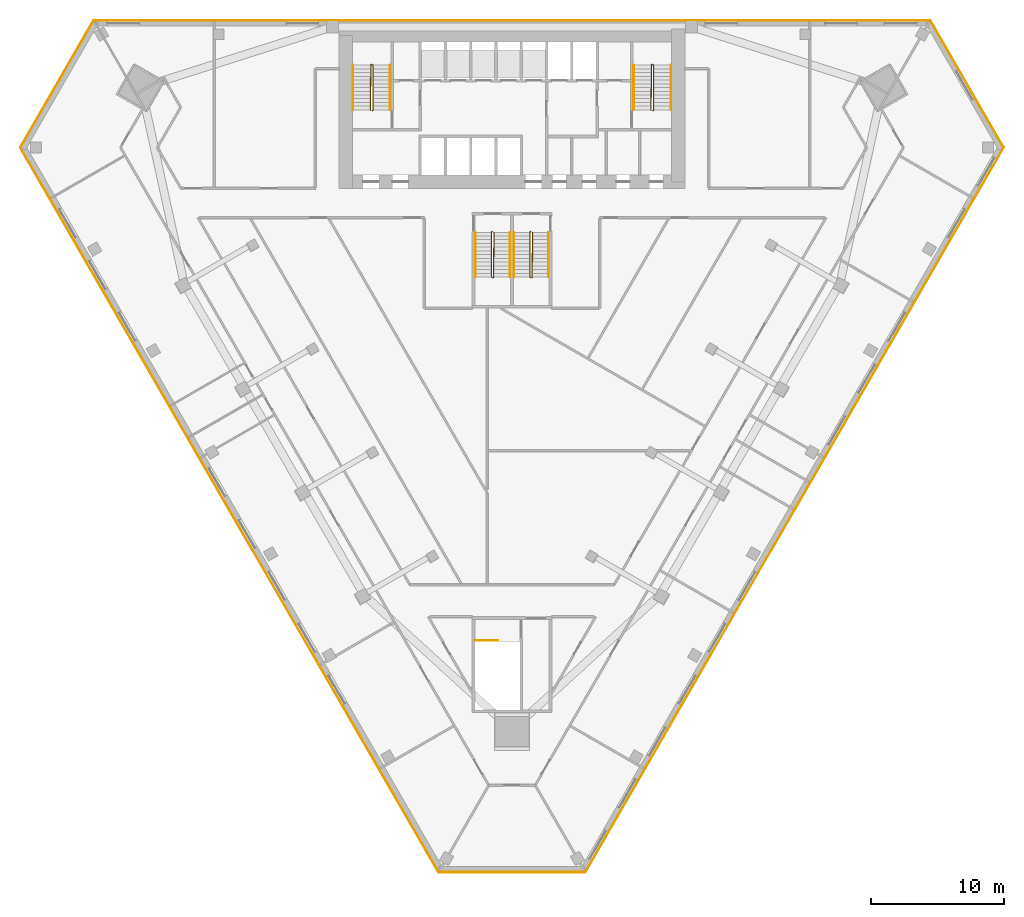
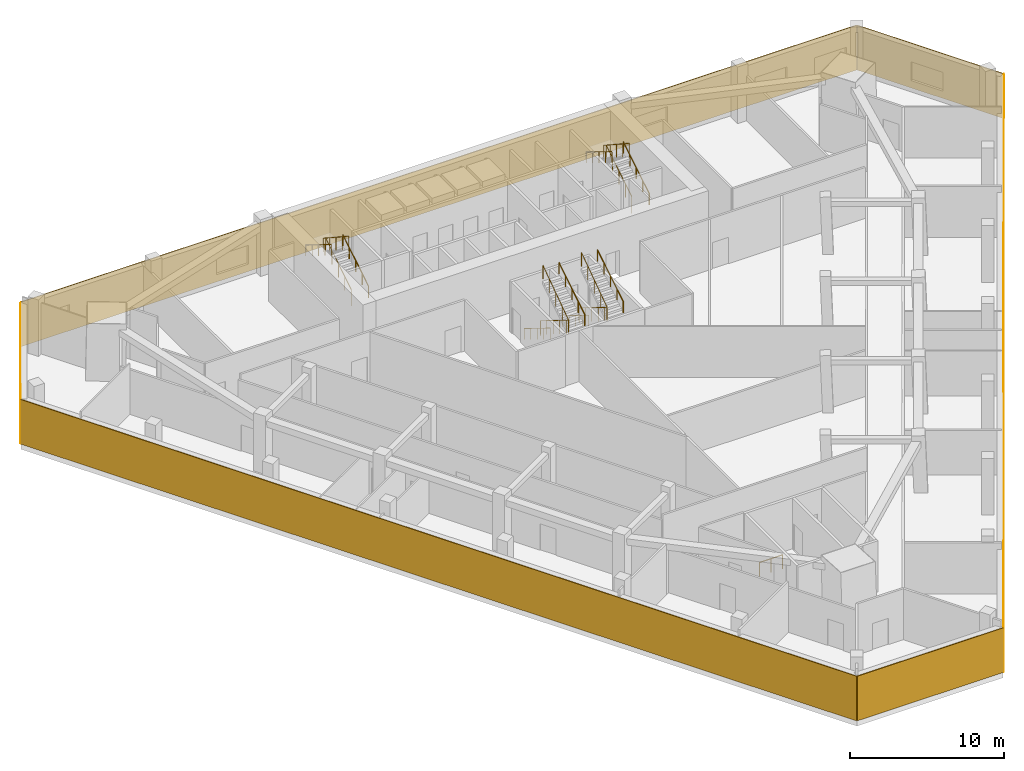
# One storey, part 8 of 9: 13 railings, 6 coverings.
"""IFC4 building model written with IfcOpenShell, lengths in metres."""

from ifc_helpers import new_model, si_unit, direction, frame, frame_2d, origin, origin_2d, place, context, subcontext, project, spatial, rectangle, circle, extrude, material, layer, layer_set, type_object, element, save


model = new_model("IFC4")

# Units and contexts
model_context = context("Model", 3, precision=1e-05, world=origin(), true_north=direction((0.0, 1.0)))
body_context = subcontext(model_context, "Body", "Model", "MODEL_VIEW")
ifc_project = project(units=[si_unit("LENGTHUNIT", "METRE"), si_unit("AREAUNIT", "SQUARE_METRE"), si_unit("VOLUMEUNIT", "CUBIC_METRE"), si_unit("PLANEANGLEUNIT", "RADIAN"), si_unit("MASSUNIT", "GRAM", prefix="KILO")], contexts=[model_context])

# Site, building, storey
site_placement = place(None, origin())
site = spatial("IfcSite", under=ifc_project, at=site_placement, CompositionType="ELEMENT")
building_placement = place(site_placement, origin())
building = spatial("IfcBuilding", under=site, at=building_placement, Name="Altiplano Prism Tower", CompositionType="ELEMENT")
storey_placement = place(building_placement, frame((0.0, 0.0, 18.0)))
storey = spatial("IfcBuildingStorey", under=building, at=storey_placement, Name="L03", CompositionType="ELEMENT", Elevation=18.0)

# Railings
ifc_material_1 = material(Name="Steel S355", Category="steel")
railing_type_1 = type_object("IfcRailingType", Name="Stair guard 1100", PredefinedType="GUARDRAIL", material=ifc_material_1)
railing_1_placement = place(storey_placement, frame((74.5, 98.25, 0.0)))
element("IfcRailing", 1, at=railing_1_placement, inside=storey, type_object=railing_type_1, Name="L03 ST1 stair guard 1", PredefinedType="GUARDRAIL", context=body_context, shape_type="SweptSolid", body=[
    extrude(circle(Radius=0.02392578125, at=origin_2d()), frame((0.0, 0.0, 1.076171875), z_axis=(0.267629722418, 0.267629722418, 0.925607186314), x_axis=(-0.707106781187, 0.707106781187, 0.0)), (0.0, 0.0, 1.0), 0.18701171875),
    extrude(circle(Radius=0.02392578125, at=origin_2d()), frame((0.050048828125, 0.050048828125, 1.2490234375), z_axis=(0.0, 0.850606129759, 0.525803396734), x_axis=(-1.0, 0.0, 0.0)), (0.0, 0.0, 1.0), 3.949951171875),
    extrude(circle(Radius=0.02392578125, at=origin_2d()), frame((0.050048828125, 3.409912109375, 3.326171875), z_axis=(-0.948683298051, 0.316227766017, 0.0), x_axis=(-0.316227766017, -0.948683298051, 0.0)), (0.0, 0.0, 1.0), 0.158203125),
    extrude(circle(Radius=0.02392578125, at=origin_2d()), frame((-0.10009765625, 3.4599609375, 3.326171875), z_axis=(-0.0121901703, -0.834608375372, 0.55070887001), x_axis=(0.999893351539, -0.01460429897, 0.0)), (0.0, 0.0, 1.0), 4.085693359375),
    extrude(circle(Radius=0.02099609375, at=origin_2d()), origin(), (0.0, 0.0, 1.0), 1.052001953125),
    extrude(circle(Radius=0.02099609375, at=origin_2d()), frame((0.050048828125, 0.050048828125, 0.173095703125)), (0.0, 0.0, 1.0), 1.052001953125),
    extrude(circle(Radius=0.02099609375, at=origin_2d()), frame((0.050048828125, 0.89013671875, 0.6923828125)), (0.0, 0.0, 1.0), 1.052001953125),
    extrude(circle(Radius=0.02099609375, at=origin_2d()), frame((0.050048828125, 1.72998046875, 1.21142578125)), (0.0, 0.0, 1.0), 1.052001953125),
    extrude(circle(Radius=0.02099609375, at=origin_2d()), frame((0.050048828125, 2.56982421875, 1.730712890625)), (0.0, 0.0, 1.0), 1.052001953125),
    extrude(circle(Radius=0.02099609375, at=origin_2d()), frame((0.050048828125, 3.409912109375, 2.25)), (0.0, 0.0, 1.0), 1.052001953125),
    extrude(circle(Radius=0.02099609375, at=origin_2d()), frame((-0.10009765625, 3.4599609375, 2.25)), (0.0, 0.0, 1.0), 1.052001953125),
    extrude(circle(Radius=0.02099609375, at=origin_2d()), frame((-0.112548828125, 2.607421875, 2.8125)), (0.0, 0.0, 1.0), 1.052001953125),
    extrude(circle(Radius=0.02099609375, at=origin_2d()), frame((-0.125, 1.7548828125, 3.375)), (0.0, 0.0, 1.0), 1.052001953125),
    extrude(circle(Radius=0.02099609375, at=origin_2d()), frame((-0.137451171875, 0.902587890625, 3.9375)), (0.0, 0.0, 1.0), 1.052001953125),
    extrude(circle(Radius=0.02099609375, at=origin_2d()), frame((-0.14990234375, 0.050048828125, 4.5)), (0.0, 0.0, 1.0), 1.052001953125),
])
railing_2_placement = place(storey_placement, frame((95.60009765625, 98.25, 0.0)))
element("IfcRailing", 2, at=railing_2_placement, inside=storey, type_object=railing_type_1, Name="L03 ST2 stair guard 1", PredefinedType="GUARDRAIL", context=body_context, shape_type="SweptSolid", body=[
    extrude(circle(Radius=0.02392578125, at=origin_2d()), frame((0.0, 0.0, 1.076171875), z_axis=(0.266417085129, 0.267723051232, 0.925929967433), x_axis=(-0.708833529934, 0.705375805398, 0.0)), (0.0, 0.0, 1.0), 0.18701171875),
    extrude(circle(Radius=0.02392578125, at=origin_2d()), frame((0.0498046875, 0.050048828125, 1.2490234375), z_axis=(0.0, 0.850606129759, 0.525803396734), x_axis=(-1.0, 0.0, 0.0)), (0.0, 0.0, 1.0), 3.949951171875),
    extrude(circle(Radius=0.02392578125, at=origin_2d()), frame((0.0498046875, 3.409912109375, 3.326171875), z_axis=(-0.948528701346, 0.316691178788, 0.0), x_axis=(-0.316691178788, -0.948528701346, 0.0)), (0.0, 0.0, 1.0), 0.157958984375),
    extrude(circle(Radius=0.02392578125, at=origin_2d()), frame((-0.10009765625, 3.4599609375, 3.326171875), z_axis=(-0.012249917091, -0.834607765926, 0.550708467873), x_axis=(0.999892303572, -0.014675873289, 0.0)), (0.0, 0.0, 1.0), 4.085693359375),
    extrude(circle(Radius=0.02099609375, at=origin_2d()), origin(), (0.0, 0.0, 1.0), 1.052001953125),
    extrude(circle(Radius=0.02099609375, at=origin_2d()), frame((0.0498046875, 0.050048828125, 0.173095703125)), (0.0, 0.0, 1.0), 1.052001953125),
    extrude(circle(Radius=0.02099609375, at=origin_2d()), frame((0.0498046875, 0.89013671875, 0.6923828125)), (0.0, 0.0, 1.0), 1.052001953125),
    extrude(circle(Radius=0.02099609375, at=origin_2d()), frame((0.0498046875, 1.72998046875, 1.21142578125)), (0.0, 0.0, 1.0), 1.052001953125),
    extrude(circle(Radius=0.02099609375, at=origin_2d()), frame((0.0498046875, 2.56982421875, 1.730712890625)), (0.0, 0.0, 1.0), 1.052001953125),
    extrude(circle(Radius=0.02099609375, at=origin_2d()), frame((0.0498046875, 3.409912109375, 2.25)), (0.0, 0.0, 1.0), 1.052001953125),
    extrude(circle(Radius=0.02099609375, at=origin_2d()), frame((-0.10009765625, 3.4599609375, 2.25)), (0.0, 0.0, 1.0), 1.052001953125),
    extrude(circle(Radius=0.02099609375, at=origin_2d()), frame((-0.112548828125, 2.607421875, 2.8125)), (0.0, 0.0, 1.0), 1.052001953125),
    extrude(circle(Radius=0.02099609375, at=origin_2d()), frame((-0.125, 1.7548828125, 3.375)), (0.0, 0.0, 1.0), 1.052001953125),
    extrude(circle(Radius=0.02099609375, at=origin_2d()), frame((-0.1376953125, 0.902587890625, 3.9375)), (0.0, 0.0, 1.0), 1.052001953125),
    extrude(circle(Radius=0.02099609375, at=origin_2d()), frame((-0.150146484375, 0.050048828125, 4.5)), (0.0, 0.0, 1.0), 1.052001953125),
])
railing_3_placement = place(storey_placement, frame((83.5, 89.14990234375, 0.0)))
element("IfcRailing", 3, at=railing_3_placement, inside=storey, type_object=railing_type_1, Name="L03 ST3A stair guard 1", PredefinedType="GUARDRAIL", context=body_context, shape_type="SweptSolid", body=[
    extrude(circle(Radius=0.02392578125, at=origin_2d()), frame((0.0, 0.0, 1.076171875), z_axis=(-0.267723051232, -0.266417085129, 0.925929967433), x_axis=(0.705375805398, -0.708833529934, 0.0)), (0.0, 0.0, 1.0), 0.18701171875),
    extrude(circle(Radius=0.02392578125, at=origin_2d()), frame((-0.050048828125, -0.0498046875, 1.2490234375), z_axis=(0.0, -0.850623216509, 0.525775754039), x_axis=(1.0, 0.0, 0.0)), (0.0, 0.0, 1.0), 3.9501953125),
    extrude(circle(Radius=0.02392578125, at=origin_2d()), frame((-0.050048828125, -3.409912109375, 3.326171875), z_axis=(0.948683298051, -0.316227766017, 0.0), x_axis=(0.316227766017, 0.948683298051, 0.0)), (0.0, 0.0, 1.0), 0.158203125),
    extrude(circle(Radius=0.02392578125, at=origin_2d()), frame((0.10009765625, -3.4599609375, 3.326171875), z_axis=(0.012189562367, 0.83462650563, 0.550681405777), x_axis=(-0.999893366806, 0.014603253639, 0.0)), (0.0, 0.0, 1.0), 4.0859375),
    extrude(circle(Radius=0.02099609375, at=origin_2d()), origin(), (0.0, 0.0, 1.0), 1.052001953125),
    extrude(circle(Radius=0.02099609375, at=origin_2d()), frame((-0.050048828125, -0.0498046875, 0.173095703125)), (0.0, 0.0, 1.0), 1.052001953125),
    extrude(circle(Radius=0.02099609375, at=origin_2d()), frame((-0.050048828125, -0.889892578125, 0.6923828125)), (0.0, 0.0, 1.0), 1.052001953125),
    extrude(circle(Radius=0.02099609375, at=origin_2d()), frame((-0.050048828125, -1.72998046875, 1.21142578125)), (0.0, 0.0, 1.0), 1.052001953125),
    extrude(circle(Radius=0.02099609375, at=origin_2d()), frame((-0.050048828125, -2.56982421875, 1.730712890625)), (0.0, 0.0, 1.0), 1.052001953125),
    extrude(circle(Radius=0.02099609375, at=origin_2d()), frame((-0.050048828125, -3.409912109375, 2.25)), (0.0, 0.0, 1.0), 1.052001953125),
    extrude(circle(Radius=0.02099609375, at=origin_2d()), frame((0.10009765625, -3.4599609375, 2.25)), (0.0, 0.0, 1.0), 1.052001953125),
    extrude(circle(Radius=0.02099609375, at=origin_2d()), frame((0.112548828125, -2.607421875, 2.8125)), (0.0, 0.0, 1.0), 1.052001953125),
    extrude(circle(Radius=0.02099609375, at=origin_2d()), frame((0.125, -1.7548828125, 3.375)), (0.0, 0.0, 1.0), 1.052001953125),
    extrude(circle(Radius=0.02099609375, at=origin_2d()), frame((0.137451171875, -0.90234375, 3.9375)), (0.0, 0.0, 1.0), 1.052001953125),
    extrude(circle(Radius=0.02099609375, at=origin_2d()), frame((0.14990234375, -0.0498046875, 4.5)), (0.0, 0.0, 1.0), 1.052001953125),
])
railing_4_placement = place(storey_placement, frame((86.39990234375, 89.14990234375, 0.0)))
element("IfcRailing", 4, at=railing_4_placement, inside=storey, type_object=railing_type_1, Name="L03 ST3B stair guard 1", PredefinedType="GUARDRAIL", context=body_context, shape_type="SweptSolid", body=[
    extrude(circle(Radius=0.02392578125, at=origin_2d()), frame((0.0, 0.0, 1.076171875), z_axis=(-0.26651005591, -0.26651005591, 0.926253086471), x_axis=(0.707106781187, -0.707106781187, 0.0)), (0.0, 0.0, 1.0), 0.186767578125),
    extrude(circle(Radius=0.02392578125, at=origin_2d()), frame((-0.0498046875, -0.0498046875, 1.2490234375), z_axis=(0.0, -0.850623216509, 0.525775754039), x_axis=(1.0, 0.0, 0.0)), (0.0, 0.0, 1.0), 3.9501953125),
    extrude(circle(Radius=0.02392578125, at=origin_2d()), frame((-0.0498046875, -3.409912109375, 3.326171875), z_axis=(0.948528701346, -0.316691178788, 0.0), x_axis=(0.316691178788, 0.948528701346, 0.0)), (0.0, 0.0, 1.0), 0.157958984375),
    extrude(circle(Radius=0.02392578125, at=origin_2d()), frame((0.10009765625, -3.4599609375, 3.326171875), z_axis=(0.01224930618, 0.834625896233, 0.5506810037), x_axis=(-0.99989231899, 0.014674822837, 0.0)), (0.0, 0.0, 1.0), 4.0859375),
    extrude(circle(Radius=0.02099609375, at=origin_2d()), origin(), (0.0, 0.0, 1.0), 1.052001953125),
    extrude(circle(Radius=0.02099609375, at=origin_2d()), frame((-0.0498046875, -0.0498046875, 0.173095703125)), (0.0, 0.0, 1.0), 1.052001953125),
    extrude(circle(Radius=0.02099609375, at=origin_2d()), frame((-0.0498046875, -0.889892578125, 0.6923828125)), (0.0, 0.0, 1.0), 1.052001953125),
    extrude(circle(Radius=0.02099609375, at=origin_2d()), frame((-0.0498046875, -1.72998046875, 1.21142578125)), (0.0, 0.0, 1.0), 1.052001953125),
    extrude(circle(Radius=0.02099609375, at=origin_2d()), frame((-0.0498046875, -2.56982421875, 1.730712890625)), (0.0, 0.0, 1.0), 1.052001953125),
    extrude(circle(Radius=0.02099609375, at=origin_2d()), frame((-0.0498046875, -3.409912109375, 2.25)), (0.0, 0.0, 1.0), 1.052001953125),
    extrude(circle(Radius=0.02099609375, at=origin_2d()), frame((0.10009765625, -3.4599609375, 2.25)), (0.0, 0.0, 1.0), 1.052001953125),
    extrude(circle(Radius=0.02099609375, at=origin_2d()), frame((0.112548828125, -2.607421875, 2.8125)), (0.0, 0.0, 1.0), 1.052001953125),
    extrude(circle(Radius=0.02099609375, at=origin_2d()), frame((0.125, -1.7548828125, 3.375)), (0.0, 0.0, 1.0), 1.052001953125),
    extrude(circle(Radius=0.02099609375, at=origin_2d()), frame((0.1376953125, -0.90234375, 3.9375)), (0.0, 0.0, 1.0), 1.052001953125),
    extrude(circle(Radius=0.02099609375, at=origin_2d()), frame((0.150146484375, -0.0498046875, 4.5)), (0.0, 0.0, 1.0), 1.052001953125),
])
railing_5_placement = place(storey_placement, frame((82.199951171875, 58.39990234375, 0.0)))
element("IfcRailing", 5, at=railing_5_placement, inside=storey, type_object=railing_type_1, Name="L03 ST4 top well guard 1", PredefinedType="GUARDRAIL", context=body_context, shape_type="SweptSolid", body=[
    extrude(circle(Radius=0.02392578125, at=origin_2d()), frame((0.0, 0.0, 1.076171875), z_axis=(1.0, 0.0, 0.0), x_axis=(0.0, 1.0, 0.0)), (0.0, 0.0, 1.0), 1.75),
    extrude(circle(Radius=0.02099609375, at=origin_2d()), origin(), (0.0, 0.0, 1.0), 1.052001953125),
    extrude(circle(Radius=0.02099609375, at=origin_2d()), frame((0.875, 0.0, 0.0)), (0.0, 0.0, 1.0), 1.052001953125),
    extrude(circle(Radius=0.02099609375, at=origin_2d()), frame((1.75, 0.0, 0.0)), (0.0, 0.0, 1.0), 1.052001953125),
])
railing_type_2 = type_object("IfcRailingType", Name="Stair handrail 900", PredefinedType="HANDRAIL", material=ifc_material_1)
railing_6_placement = place(storey_placement, frame((75.85009765625, 98.300048828125, 0.173095703125)))
element("IfcRailing", 6, at=railing_6_placement, inside=storey, type_object=railing_type_2, Name="L03 ST1 stair handrail 1", PredefinedType="HANDRAIL", context=body_context, shape_type="SweptSolid", body=[
    extrude(circle(Radius=0.02392578125, at=origin_2d()), frame((0.0, 0.0, 0.8759765625), z_axis=(0.0, 0.850606129759, 0.525803396734), x_axis=(-1.0, 0.0, 0.0)), (0.0, 0.0, 1.0), 3.949951171875),
    extrude(circle(Radius=0.02099609375, at=origin_2d()), origin(), (0.0, 0.0, 1.0), 0.851806640625),
    extrude(circle(Radius=0.02099609375, at=origin_2d()), frame((0.0, 0.83984375, 0.519287109375)), (0.0, 0.0, 1.0), 0.851806640625),
    extrude(circle(Radius=0.02099609375, at=origin_2d()), frame((0.0, 1.679931640625, 1.03857421875)), (0.0, 0.0, 1.0), 0.851806640625),
    extrude(circle(Radius=0.02099609375, at=origin_2d()), frame((0.0, 2.52001953125, 1.5576171875)), (0.0, 0.0, 1.0), 0.851806640625),
    extrude(circle(Radius=0.02099609375, at=origin_2d()), frame((0.0, 3.35986328125, 2.076904296875)), (0.0, 0.0, 1.0), 0.851806640625),
])
railing_7_placement = place(storey_placement, frame((73.050048828125, 101.659912109375, 2.423095703125)))
element("IfcRailing", 7, at=railing_7_placement, inside=storey, type_object=railing_type_2, Name="L03 ST1 stair handrail 2", PredefinedType="HANDRAIL", context=body_context, shape_type="SweptSolid", body=[
    extrude(circle(Radius=0.02392578125, at=origin_2d()), frame((0.0, 0.0, 0.8759765625), z_axis=(0.0, -0.850606129759, 0.525803396734), x_axis=(1.0, 0.0, 0.0)), (0.0, 0.0, 1.0), 3.949951171875),
    extrude(circle(Radius=0.02099609375, at=origin_2d()), origin(), (0.0, 0.0, 1.0), 0.851806640625),
    extrude(circle(Radius=0.02099609375, at=origin_2d()), frame((0.0, -0.83984375, 0.519287109375)), (0.0, 0.0, 1.0), 0.851806640625),
    extrude(circle(Radius=0.02099609375, at=origin_2d()), frame((0.0, -1.679931640625, 1.03857421875)), (0.0, 0.0, 1.0), 0.851806640625),
    extrude(circle(Radius=0.02099609375, at=origin_2d()), frame((0.0, -2.52001953125, 1.5576171875)), (0.0, 0.0, 1.0), 0.851806640625),
    extrude(circle(Radius=0.02099609375, at=origin_2d()), frame((0.0, -3.35986328125, 2.076904296875)), (0.0, 0.0, 1.0), 0.851806640625),
])
railing_8_placement = place(storey_placement, frame((96.949951171875, 98.300048828125, 0.173095703125)))
element("IfcRailing", 8, at=railing_8_placement, inside=storey, type_object=railing_type_2, Name="L03 ST2 stair handrail 1", PredefinedType="HANDRAIL", context=body_context, shape_type="SweptSolid", body=[
    extrude(circle(Radius=0.02392578125, at=origin_2d()), frame((0.0, 0.0, 0.8759765625), z_axis=(0.0, 0.850606129759, 0.525803396734), x_axis=(-1.0, 0.0, 0.0)), (0.0, 0.0, 1.0), 3.949951171875),
    extrude(circle(Radius=0.02099609375, at=origin_2d()), origin(), (0.0, 0.0, 1.0), 0.851806640625),
    extrude(circle(Radius=0.02099609375, at=origin_2d()), frame((0.0, 0.83984375, 0.519287109375)), (0.0, 0.0, 1.0), 0.851806640625),
    extrude(circle(Radius=0.02099609375, at=origin_2d()), frame((0.0, 1.679931640625, 1.03857421875)), (0.0, 0.0, 1.0), 0.851806640625),
    extrude(circle(Radius=0.02099609375, at=origin_2d()), frame((0.0, 2.52001953125, 1.5576171875)), (0.0, 0.0, 1.0), 0.851806640625),
    extrude(circle(Radius=0.02099609375, at=origin_2d()), frame((0.0, 3.35986328125, 2.076904296875)), (0.0, 0.0, 1.0), 0.851806640625),
])
railing_9_placement = place(storey_placement, frame((94.14990234375, 101.659912109375, 2.423095703125)))
element("IfcRailing", 9, at=railing_9_placement, inside=storey, type_object=railing_type_2, Name="L03 ST2 stair handrail 2", PredefinedType="HANDRAIL", context=body_context, shape_type="SweptSolid", body=[
    extrude(circle(Radius=0.02392578125, at=origin_2d()), frame((0.0, 0.0, 0.8759765625), z_axis=(0.0, -0.850606129759, 0.525803396734), x_axis=(1.0, 0.0, 0.0)), (0.0, 0.0, 1.0), 3.949951171875),
    extrude(circle(Radius=0.02099609375, at=origin_2d()), origin(), (0.0, 0.0, 1.0), 0.851806640625),
    extrude(circle(Radius=0.02099609375, at=origin_2d()), frame((0.0, -0.83984375, 0.519287109375)), (0.0, 0.0, 1.0), 0.851806640625),
    extrude(circle(Radius=0.02099609375, at=origin_2d()), frame((0.0, -1.679931640625, 1.03857421875)), (0.0, 0.0, 1.0), 0.851806640625),
    extrude(circle(Radius=0.02099609375, at=origin_2d()), frame((0.0, -2.52001953125, 1.5576171875)), (0.0, 0.0, 1.0), 0.851806640625),
    extrude(circle(Radius=0.02099609375, at=origin_2d()), frame((0.0, -3.35986328125, 2.076904296875)), (0.0, 0.0, 1.0), 0.851806640625),
])
railing_10_placement = place(storey_placement, frame((82.25, 89.10009765625, 0.173095703125)))
element("IfcRailing", 10, at=railing_10_placement, inside=storey, type_object=railing_type_2, Name="L03 ST3A stair handrail 1", PredefinedType="HANDRAIL", context=body_context, shape_type="SweptSolid", body=[
    extrude(circle(Radius=0.02392578125, at=origin_2d()), frame((0.0, 0.0, 0.8759765625), z_axis=(0.0, -0.850623216509, 0.525775754039), x_axis=(1.0, 0.0, 0.0)), (0.0, 0.0, 1.0), 3.9501953125),
    extrude(circle(Radius=0.02099609375, at=origin_2d()), origin(), (0.0, 0.0, 1.0), 0.851806640625),
    extrude(circle(Radius=0.02099609375, at=origin_2d()), frame((0.0, -0.840087890625, 0.519287109375)), (0.0, 0.0, 1.0), 0.851806640625),
    extrude(circle(Radius=0.02099609375, at=origin_2d()), frame((0.0, -1.68017578125, 1.03857421875)), (0.0, 0.0, 1.0), 0.851806640625),
    extrude(circle(Radius=0.02099609375, at=origin_2d()), frame((0.0, -2.52001953125, 1.5576171875)), (0.0, 0.0, 1.0), 0.851806640625),
    extrude(circle(Radius=0.02099609375, at=origin_2d()), frame((0.0, -3.360107421875, 2.076904296875)), (0.0, 0.0, 1.0), 0.851806640625),
])
railing_11_placement = place(storey_placement, frame((84.85009765625, 85.739990234375, 2.423095703125)))
element("IfcRailing", 11, at=railing_11_placement, inside=storey, type_object=railing_type_2, Name="L03 ST3A stair handrail 2", PredefinedType="HANDRAIL", context=body_context, shape_type="SweptSolid", body=[
    extrude(circle(Radius=0.02392578125, at=origin_2d()), frame((0.0, 0.0, 0.8759765625), z_axis=(0.0, 0.850623216509, 0.525775754039), x_axis=(-1.0, 0.0, 0.0)), (0.0, 0.0, 1.0), 3.9501953125),
    extrude(circle(Radius=0.02099609375, at=origin_2d()), origin(), (0.0, 0.0, 1.0), 0.851806640625),
    extrude(circle(Radius=0.02099609375, at=origin_2d()), frame((0.0, 0.840087890625, 0.519287109375)), (0.0, 0.0, 1.0), 0.851806640625),
    extrude(circle(Radius=0.02099609375, at=origin_2d()), frame((0.0, 1.68017578125, 1.03857421875)), (0.0, 0.0, 1.0), 0.851806640625),
    extrude(circle(Radius=0.02099609375, at=origin_2d()), frame((0.0, 2.52001953125, 1.5576171875)), (0.0, 0.0, 1.0), 0.851806640625),
    extrude(circle(Radius=0.02099609375, at=origin_2d()), frame((0.0, 3.360107421875, 2.076904296875)), (0.0, 0.0, 1.0), 0.851806640625),
])
railing_12_placement = place(storey_placement, frame((85.14990234375, 89.10009765625, 0.173095703125)))
element("IfcRailing", 12, at=railing_12_placement, inside=storey, type_object=railing_type_2, Name="L03 ST3B stair handrail 1", PredefinedType="HANDRAIL", context=body_context, shape_type="SweptSolid", body=[
    extrude(circle(Radius=0.02392578125, at=origin_2d()), frame((0.0, 0.0, 0.8759765625), z_axis=(0.0, -0.850623216509, 0.525775754039), x_axis=(1.0, 0.0, 0.0)), (0.0, 0.0, 1.0), 3.9501953125),
    extrude(circle(Radius=0.02099609375, at=origin_2d()), origin(), (0.0, 0.0, 1.0), 0.851806640625),
    extrude(circle(Radius=0.02099609375, at=origin_2d()), frame((0.0, -0.840087890625, 0.519287109375)), (0.0, 0.0, 1.0), 0.851806640625),
    extrude(circle(Radius=0.02099609375, at=origin_2d()), frame((0.0, -1.68017578125, 1.03857421875)), (0.0, 0.0, 1.0), 0.851806640625),
    extrude(circle(Radius=0.02099609375, at=origin_2d()), frame((0.0, -2.52001953125, 1.5576171875)), (0.0, 0.0, 1.0), 0.851806640625),
    extrude(circle(Radius=0.02099609375, at=origin_2d()), frame((0.0, -3.360107421875, 2.076904296875)), (0.0, 0.0, 1.0), 0.851806640625),
])
railing_13_placement = place(storey_placement, frame((87.75, 85.739990234375, 2.423095703125)))
element("IfcRailing", 13, at=railing_13_placement, inside=storey, type_object=railing_type_2, Name="L03 ST3B stair handrail 2", PredefinedType="HANDRAIL", context=body_context, shape_type="SweptSolid", body=[
    extrude(circle(Radius=0.02392578125, at=origin_2d()), frame((0.0, 0.0, 0.8759765625), z_axis=(0.0, 0.850623216509, 0.525775754039), x_axis=(-1.0, 0.0, 0.0)), (0.0, 0.0, 1.0), 3.9501953125),
    extrude(circle(Radius=0.02099609375, at=origin_2d()), origin(), (0.0, 0.0, 1.0), 0.851806640625),
    extrude(circle(Radius=0.02099609375, at=origin_2d()), frame((0.0, 0.840087890625, 0.519287109375)), (0.0, 0.0, 1.0), 0.851806640625),
    extrude(circle(Radius=0.02099609375, at=origin_2d()), frame((0.0, 1.68017578125, 1.03857421875)), (0.0, 0.0, 1.0), 0.851806640625),
    extrude(circle(Radius=0.02099609375, at=origin_2d()), frame((0.0, 2.52001953125, 1.5576171875)), (0.0, 0.0, 1.0), 0.851806640625),
    extrude(circle(Radius=0.02099609375, at=origin_2d()), frame((0.0, 3.360107421875, 2.076904296875)), (0.0, 0.0, 1.0), 0.851806640625),
])

# Coverings
ifc_material_2 = material(Name="Warm limestone cast stone", Category="masonry")
ifc_layer = layer(ifc_material_2, 0.06005859375)
ifc_layer_set = layer_set([ifc_layer], Name="Warm limestone cast stone")
covering_type = type_object("IfcCoveringType", Name="Stone cladding 60", PredefinedType="CLADDING", material=ifc_layer_set)
covering_1_placement = place(storey_placement, frame((53.564697265625, 105.030029296875, 0.0), z_axis=(0.0, 0.0, 1.0), x_axis=(1.0, 0.0, 0.0)))
element("IfcCovering", 14, at=covering_1_placement, inside=storey, type_object=covering_type, Name="Stone cladding north face L03", PredefinedType="CLADDING", context=body_context, shape_type="SweptSolid", body=[
    extrude(rectangle(XDim=62.87060546875, YDim=0.06005859375, at=frame_2d((31.435302734375, 0.0))), origin(), (0.0, 0.0, 1.0), 3.550048828125),
])
covering_2_placement = place(storey_placement, frame((48.038818359375, 95.48876953125, 0.0), z_axis=(0.0, 0.0, 1.0), x_axis=(0.50000615651, 0.866021849293, 0.0)))
element("IfcCovering", 15, at=covering_2_placement, inside=storey, type_object=covering_type, Name="Stone cladding north-west chamfer L03", PredefinedType="CLADDING", context=body_context, shape_type="SweptSolid", body=[
    extrude(rectangle(XDim=10.999755859375, YDim=0.06005859375, at=frame_2d((5.5, 0.0))), origin(), (0.0, 0.0, 1.0), 3.550048828125),
])
covering_3_placement = place(storey_placement, frame((79.47412109375, 41.01123046875, 0.0), z_axis=(0.0, 0.0, 1.0), x_axis=(-0.500000218478, 0.866025277646, 0.0)))
element("IfcCovering", 16, at=covering_3_placement, inside=storey, type_object=covering_type, Name="Stone cladding south-west face L03", PredefinedType="CLADDING", context=body_context, shape_type="SweptSolid", body=[
    extrude(rectangle(XDim=62.87060546875, YDim=0.06005859375, at=frame_2d((31.435302734375, 0.0))), origin(), (0.0, 0.0, 1.0), 3.550048828125),
])
covering_4_placement = place(storey_placement, frame((90.5, 40.996337890625, 0.0), z_axis=(0.0, 0.0, 1.0), x_axis=(-1.0, 0.0, 0.0)))
element("IfcCovering", 17, at=covering_4_placement, inside=storey, type_object=covering_type, Name="Stone cladding south chamfer L03", PredefinedType="CLADDING", context=body_context, shape_type="SweptSolid", body=[
    extrude(rectangle(XDim=11.0, YDim=0.06005859375, at=frame_2d((5.5, 0.0))), origin(), (0.0, 0.0, 1.0), 3.550048828125),
])
covering_5_placement = place(storey_placement, frame((121.961181640625, 95.458740234375, 0.0), z_axis=(0.0, 0.0, 1.0), x_axis=(-0.500000218478, -0.866025277646, 0.0)))
element("IfcCovering", 18, at=covering_5_placement, inside=storey, type_object=covering_type, Name="Stone cladding south-east face L03", PredefinedType="CLADDING", context=body_context, shape_type="SweptSolid", body=[
    extrude(rectangle(XDim=62.87060546875, YDim=0.06005859375, at=frame_2d((31.435302734375, 0.0))), origin(), (0.0, 0.0, 1.0), 3.550048828125),
])
covering_6_placement = place(storey_placement, frame((116.461181640625, 105.014892578125, 0.0), z_axis=(0.0, 0.0, 1.0), x_axis=(0.50000615651, -0.866021849293, 0.0)))
element("IfcCovering", 19, at=covering_6_placement, inside=storey, type_object=covering_type, Name="Stone cladding north-east chamfer L03", PredefinedType="CLADDING", context=body_context, shape_type="SweptSolid", body=[
    extrude(rectangle(XDim=10.999755859375, YDim=0.06005859375, at=frame_2d((5.5, 0.0))), origin(), (0.0, 0.0, 1.0), 3.550048828125),
])

save(model, "model.ifc")
